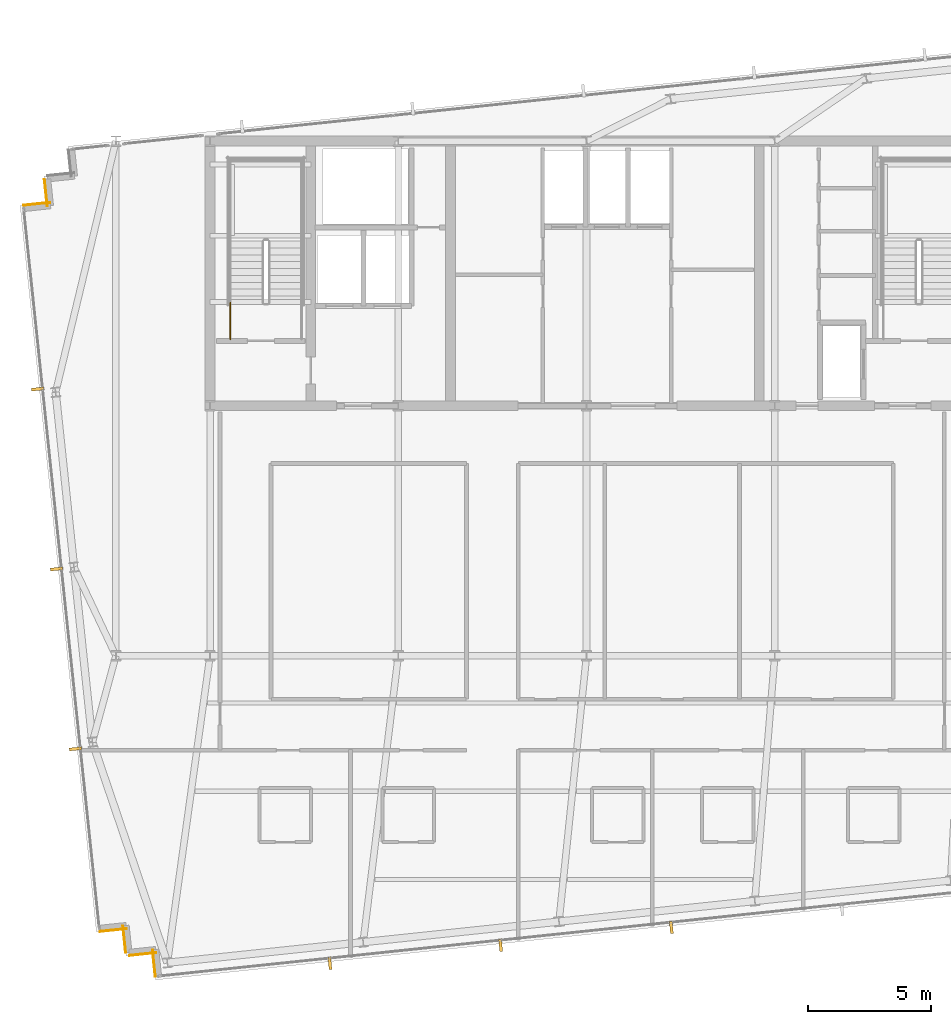
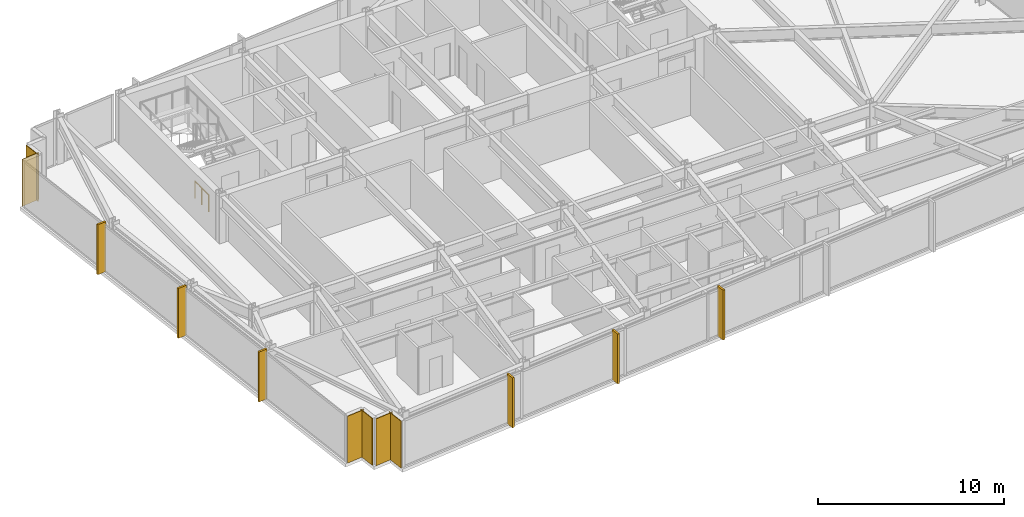
# One storey, part 30 of 33: 6 coverings, 6 shading devices, 1 railing.
"""IFC4 building model written with IfcOpenShell, lengths in metres."""

from ifc_helpers import new_model, si_unit, direction, frame, frame_2d, origin, origin_2d, place, context, subcontext, project, spatial, rectangle, circle, extrude, material, layer, layer_set, type_object, element, save


model = new_model("IFC4")

# Units and contexts
model_context = context("Model", 3, precision=1e-05, world=origin(), true_north=direction((0.0, 1.0)))
body_context = subcontext(model_context, "Body", "Model", "MODEL_VIEW")
ifc_project = project(units=[si_unit("LENGTHUNIT", "METRE"), si_unit("AREAUNIT", "SQUARE_METRE"), si_unit("VOLUMEUNIT", "CUBIC_METRE"), si_unit("PLANEANGLEUNIT", "RADIAN"), si_unit("MASSUNIT", "GRAM", prefix="KILO")], contexts=[model_context])

# Site, building, storey
site_placement = place(None, origin())
site = spatial("IfcSite", under=ifc_project, at=site_placement, CompositionType="ELEMENT")
building_placement = place(site_placement, origin())
building = spatial("IfcBuilding", under=site, at=building_placement, Name="Yelkora Congress Tower", CompositionType="ELEMENT")
storey_placement = place(building_placement, frame((0.0, 0.0, 234.199951171875)))
storey = spatial("IfcBuildingStorey", under=building, at=storey_placement, Name="L65", CompositionType="ELEMENT", Elevation=234.199951171875)

# Coverings
ifc_material_1 = material(Name="Anatolian bush-hammered limestone", Category="masonry")
ifc_layer_1 = layer(ifc_material_1, 0.0400390625)
ifc_layer_set_1 = layer_set([ifc_layer_1], Name="Anatolian bush-hammered limestone")
covering_type = type_object("IfcCoveringType", Name="COV-CLAD-SPANDREL-40", PredefinedType="CLADDING", material=ifc_layer_set_1)
covering_1_placement = place(storey_placement, frame((20.810302734375, 12.114501953125, 0.0), z_axis=(0.0, 0.0, 1.0), x_axis=(-0.104557671117, 0.994518825066, 0.0)))
element("IfcCovering", 1, at=covering_1_placement, inside=storey, type_object=covering_type, Name="L65 Anatolian Limestone Cladding EW-L65-SR01", PredefinedType="CLADDING", context=body_context, shape_type="SweptSolid", body=[
    extrude(rectangle(XDim=1.099853515625, YDim=0.0400390625, at=frame_2d((0.5498046875, 0.0))), origin(), (0.0, 0.0, 1.0), 3.080078125),
])
for number, where, z_axis, x_axis, name in (
    (2, (20.84375, 13.088134765625, 0.0), (0.0, 0.0, 1.0), (-0.994521251134, -0.104534592565, 0.0), "L65 Anatolian Limestone Cladding EW-L65-SR02"),
    (3, (19.601318359375, 13.09326171875, 0.0), (0.0, 0.0, 1.0), (-0.104534592565, 0.994521251134, 0.0), "L65 Anatolian Limestone Cladding EW-L65-SR03"),
    (4, (19.634765625, 14.067138671875, 0.0), (0.0, 0.0, 1.0), (-0.994521251134, -0.104534592565, 0.0), "L65 Anatolian Limestone Cladding EW-L65-SR04"),
):
    element("IfcCovering", number, at=place(storey_placement, frame(where, z_axis=z_axis, x_axis=x_axis)), inside=storey, type_object=covering_type, Name=name, PredefinedType="CLADDING", context=body_context, shape_type="SweptSolid", body=[
        extrude(rectangle(XDim=1.10009765625, YDim=0.0400390625, at=frame_2d((0.550048828125, 0.0))), origin(), (0.0, 0.0, 1.0), 3.080078125),
    ])
covering_2_placement = place(storey_placement, frame((15.427001953125, 43.5791015625, 0.0), z_axis=(0.0, 0.0, 1.0), x_axis=(0.994518825066, 0.104557671117, 0.0)))
element("IfcCovering", 5, at=covering_2_placement, inside=storey, type_object=covering_type, Name="L65 Anatolian Limestone Cladding EW-L65-SR06", PredefinedType="CLADDING", context=body_context, shape_type="SweptSolid", body=[
    extrude(rectangle(XDim=1.099853515625, YDim=0.0400390625, at=frame_2d((0.5498046875, 0.0))), origin(), (0.0, 0.0, 1.0), 3.080078125),
])
covering_3_placement = place(storey_placement, frame((16.400634765625, 43.545654296875, 0.0), z_axis=(0.0, 0.0, 1.0), x_axis=(-0.104315068386, 0.994544300928, 0.0)))
element("IfcCovering", 6, at=covering_3_placement, inside=storey, type_object=covering_type, Name="L65 Anatolian Limestone Cladding EW-L65-SR07", PredefinedType="CLADDING", context=body_context, shape_type="SweptSolid", body=[
    extrude(rectangle(XDim=1.10009765625, YDim=0.0400390625, at=frame_2d((0.550048828125, 0.0))), origin(), (0.0, 0.0, 1.0), 3.080078125),
])

# Railing
ifc_material_2 = material(Name="Painted galvanised steel stair well guard with vertical infill", Category="steel")
ifc_layer_2 = layer(ifc_material_2, 0.06005859375)
ifc_layer_set_2 = layer_set([ifc_layer_2], Name="Painted galvanised steel stair well guard with vertical infill")
railing_type = type_object("IfcRailingType", Name="RAIL-STAIR-GUARD-1120", PredefinedType="GUARDRAIL", material=ifc_layer_set_2)
railing_placement = place(storey_placement, frame((23.8701171875, 38.1201171875, 0.0)))
element("IfcRailing", 7, at=railing_placement, inside=storey, type_object=railing_type, Name="ST-01 L65 Stair Well Guardrail 9", PredefinedType="GUARDRAIL", context=body_context, shape_type="SweptSolid", body=[
    extrude(circle(Radius=0.02392578125, at=origin_2d()), frame((0.0, 0.0, 1.09619140625), z_axis=(0.0, 1.0, 0.0), x_axis=(-1.0, 0.0, 0.0)), (0.0, 0.0, 1.0), 1.47998046875),
    extrude(circle(Radius=0.02099609375, at=origin_2d()), origin(), (0.0, 0.0, 1.0), 1.072021484375),
    extrude(circle(Radius=0.02099609375, at=origin_2d()), frame((0.0, 0.739990234375, 0.0)), (0.0, 0.0, 1.0), 1.072021484375),
    extrude(circle(Radius=0.02099609375, at=origin_2d()), frame((0.0, 1.47998046875, 0.0)), (0.0, 0.0, 1.0), 1.072021484375),
])

# Shading devices
ifc_material_3 = material(Name="Champagne anodised aluminium", Category="aluminium")
ifc_layer_3 = layer(ifc_material_3, 3.300048828125)
ifc_layer_set_3 = layer_set([ifc_layer_3], Name="Champagne anodised aluminium")
shading_device_type = type_object("IfcShadingDeviceType", Name="SHD-FIN-ALU-520", PredefinedType="USERDEFINED", material=ifc_layer_set_3)
for number, where, z_axis, x_axis, name in (
    (8, (17.556396484375, 21.405029296875, -0.02978515625), (0.0, 0.0, 1.0), (-0.104528463268, 0.994521895368, 0.0), "L65 Vertical Anodised Solar Fin 5-1"),
    (9, (16.784912109375, 28.74462890625, -0.02978515625), (0.0, 0.0, 1.0), (-0.104528463268, 0.994521895368, 0.0), "L65 Vertical Anodised Solar Fin 5-2"),
    (10, (16.013671875, 36.084228515625, -0.02978515625), (0.0, 0.0, 1.0), (-0.104528463268, 0.994521895368, 0.0), "L65 Vertical Anodised Solar Fin 5-3"),
    (11, (41.85888671875, 14.12548828125, -0.02978515625), (0.0, 0.0, 1.0), (-0.994521895368, -0.104528463268, 0.0), "L65 Vertical Anodised Solar Fin 20-4"),
    (12, (34.89453125, 13.3935546875, -0.02978515625), (0.0, 0.0, 1.0), (-0.994521895368, -0.104528463268, 0.0), "L65 Vertical Anodised Solar Fin 20-5"),
    (13, (27.929931640625, 12.66162109375, -0.02978515625), (0.0, 0.0, 1.0), (-0.994521895368, -0.104528463268, 0.0), "L65 Vertical Anodised Solar Fin 20-6"),
):
    element("IfcShadingDevice", number, at=place(storey_placement, frame(where, z_axis=z_axis, x_axis=x_axis)), inside=storey, type_object=shading_device_type, Name=name, ObjectType="FIN", PredefinedType="USERDEFINED", context=body_context, shape_type="SweptSolid", body=[
        extrude(rectangle(XDim=0.1201171875, YDim=0.52001953125, at=origin_2d()), origin(), (0.0, 0.0, 1.0), 3.280029296875),
    ])

save(model, "model.ifc")
